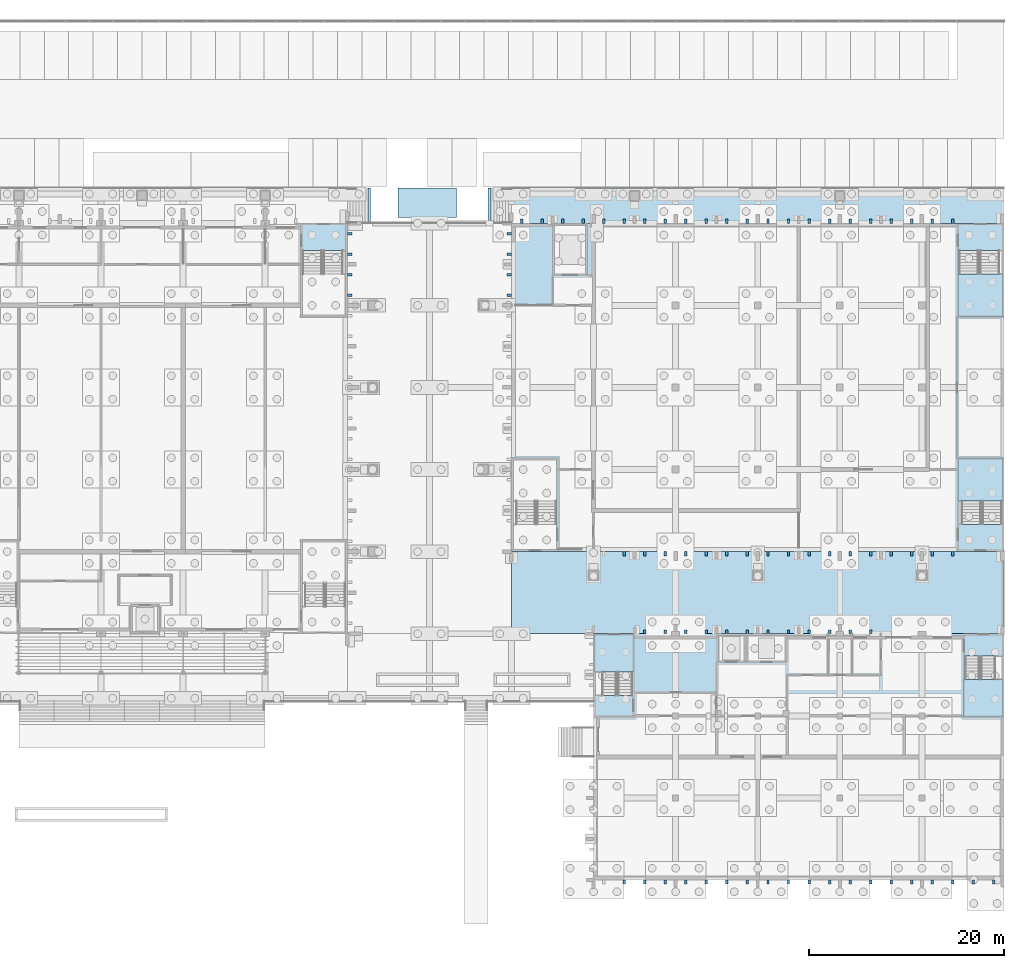
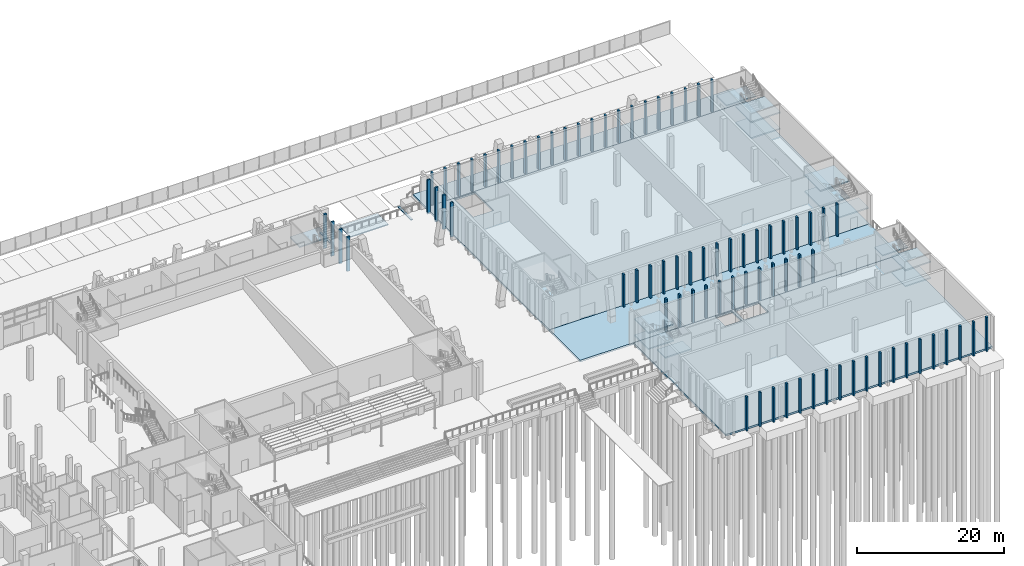
# One storey, part 40 of 129: 78 plates, 20 slabs, 5 elements without a shape of their own.
"""IFC4 building model written with IfcOpenShell, lengths in metres."""

from ifc_helpers import new_model, si_unit, direction, frame, origin, origin_2d, place, context, subcontext, project, spatial, polyline, rectangle, outline, extrude, material, layer, layer_set, type_object, element, aggregate, save


model = new_model("IFC4")

# Units and contexts
model_context = context("Model", 3, precision=1e-05, world=origin(), true_north=direction((0.0, 1.0)))
body_context = subcontext(model_context, "Body", "Model", "MODEL_VIEW")
ifc_project = project(units=[si_unit("LENGTHUNIT", "METRE"), si_unit("AREAUNIT", "SQUARE_METRE"), si_unit("VOLUMEUNIT", "CUBIC_METRE"), si_unit("PLANEANGLEUNIT", "RADIAN"), si_unit("MASSUNIT", "GRAM", prefix="KILO")], contexts=[model_context])

# Site, building, storey
site_placement = place(None, origin())
site = spatial("IfcSite", under=ifc_project, at=site_placement, CompositionType="ELEMENT")
building_placement = place(site_placement, origin())
building = spatial("IfcBuilding", under=site, at=building_placement, Name="Kiln Court Media Centre", CompositionType="ELEMENT")
storey_placement = place(building_placement, origin())
storey = spatial("IfcBuildingStorey", under=building, at=storey_placement, Name="L00", CompositionType="ELEMENT", Elevation=0.0)

# Slabs
ifc_material_1 = material(Name="Concrete C30/37", Category="concrete")
ifc_layer_1 = layer(ifc_material_1, 0.14990234375)
ifc_layer_set_1 = layer_set([ifc_layer_1], Name="Concrete C30/37 paving slab 150")
slab_type_1 = type_object("IfcSlabType", Name="Concrete C30/37 paving slab 150", PredefinedType="BASESLAB", material=ifc_layer_set_1)
slab_1_placement = place(storey_placement, frame((0.0, 0.0, -1.35009765625)))
element("IfcSlab", 1, at=slab_1_placement, inside=storey, type_object=slab_type_1, Name="Paving on grade 12", PredefinedType="BASESLAB", context=body_context, shape_type="SweptSolid", body=[
    extrude(outline(polyline([(106.0, 67.800048828125), (112.0, 67.800048828125), (112.0, 70.800048828125), (106.0, 70.800048828125), (106.0, 67.800048828125)])), origin(), (0.0, 0.0, 1.0), 0.150146484375),
])
ifc_material_2 = material(Name="Concrete C30/37", Category="concrete")
ifc_layer_2 = layer(ifc_material_2, 0.300048828125)
ifc_layer_set_2 = layer_set([ifc_layer_2], Name="Concrete C30/37 plinth slab 300")
slab_type_2 = type_object("IfcSlabType", Name="Concrete C30/37 plinth slab 300", PredefinedType="BASESLAB", material=ifc_layer_set_2)
slab_2_placement = place(storey_placement, frame((0.0, 0.0, -0.300048828125)))
element("IfcSlab", 2, at=slab_2_placement, inside=storey, type_object=slab_type_2, Name="L00-SL-1007", PredefinedType="BASESLAB", context=body_context, shape_type="SweptSolid", body=[
    extrude(outline(polyline([(117.60009765625, 33.60009765625), (117.60009765625, 67.199951171875), (168.0, 67.199951171875), (168.0, 33.60009765625), (117.60009765625, 33.60009765625)]), holes=[polyline([(122.0, 62.0), (125.199951171875, 62.0), (125.199951171875, 67.0), (122.0, 67.0), (122.0, 62.0)])]), origin(), (0.0, 0.0, 1.0), 0.300048828125),
])
slab_3_placement = place(storey_placement, frame((0.0, 0.0, -0.300048828125)))
element("IfcSlab", 3, at=slab_3_placement, inside=storey, type_object=slab_type_2, Name="L00-SL-1008", PredefinedType="BASESLAB", context=body_context, shape_type="SweptSolid", body=[
    extrude(outline(polyline([(126.0, 0.0), (126.0, 25.199951171875), (168.0, 25.199951171875), (168.0, 0.0), (126.0, 0.0)]), holes=[polyline([(138.800048828125, 22.39990234375), (141.39990234375, 22.39990234375), (141.39990234375, 25.0), (138.800048828125, 25.0), (138.800048828125, 22.39990234375)]), polyline([(141.800048828125, 22.39990234375), (145.60009765625, 22.39990234375), (145.60009765625, 25.0), (141.800048828125, 25.0), (141.800048828125, 22.39990234375)])]), origin(), (0.0, 0.0, 1.0), 0.300048828125),
])
slab_4_placement = place(storey_placement, frame((0.0, 0.0, -0.300048828125)))
element("IfcSlab", 4, at=slab_4_placement, inside=storey, type_object=slab_type_2, Name="L00-SL-1013", PredefinedType="BASESLAB", context=body_context, shape_type="SweptSolid", body=[
    extrude(outline(polyline([(117.60009765625, 25.199951171875), (117.60009765625, 33.60009765625), (168.0, 33.60009765625), (168.0, 25.199951171875), (117.60009765625, 25.199951171875)])), origin(), (0.0, 0.0, 1.0), 0.300048828125),
])
slab_5_placement = place(storey_placement, frame((0.0, 0.0, -0.300048828125)))
element("IfcSlab", 5, at=slab_5_placement, inside=storey, type_object=slab_type_2, Name="L00-SL-1015", PredefinedType="BASESLAB", context=body_context, shape_type="SweptSolid", body=[
    extrude(outline(polyline([(117.60009765625, 67.199951171875), (117.60009765625, 70.800048828125), (168.0, 70.800048828125), (168.0, 67.199951171875), (117.60009765625, 67.199951171875)])), origin(), (0.0, 0.0, 1.0), 0.300048828125),
])
ifc_material_3 = material(Name="Concrete C30/37", Category="concrete")
ifc_layer_3 = layer(ifc_material_3, 0.14990234375)
ifc_layer_set_3 = layer_set([ifc_layer_3], Name="Concrete C30/37 step foot slab 150")
slab_type_3 = type_object("IfcSlabType", Name="Concrete C30/37 step foot slab 150", PredefinedType="BASESLAB", material=ifc_layer_set_3)
slab_6_placement = place(storey_placement, frame((0.0, 0.0, -1.35009765625)))
element("IfcSlab", 6, at=slab_6_placement, inside=storey, type_object=slab_type_3, Name="Step foot slab", PredefinedType="BASESLAB", context=body_context, shape_type="SweptSolid", body=[
    extrude(outline(polyline([(102.89990234375, 67.199951171875), (103.199951171875, 67.199951171875), (103.199951171875, 70.800048828125), (102.89990234375, 70.800048828125), (102.89990234375, 67.199951171875)])), origin(), (0.0, 0.0, 1.0), 0.150146484375),
])
slab_7_placement = place(storey_placement, frame((0.0, 0.0, -1.35009765625)))
element("IfcSlab", 7, at=slab_7_placement, inside=storey, type_object=slab_type_3, Name="Step foot slab", PredefinedType="BASESLAB", context=body_context, shape_type="SweptSolid", body=[
    extrude(outline(polyline([(115.199951171875, 67.199951171875), (115.5, 67.199951171875), (115.5, 70.800048828125), (115.199951171875, 70.800048828125), (115.199951171875, 67.199951171875)])), origin(), (0.0, 0.0, 1.0), 0.150146484375),
])

# Plates
ifc_material_4 = material(Name="Concrete C40/50", Category="concrete")
ifc_layer_4 = layer(ifc_material_4, 0.25)
ifc_layer_set_4 = layer_set([ifc_layer_4], Name="Concrete C40/50 shading fin 250")
plate_type = type_object("IfcPlateType", Name="Concrete C40/50 shading fin 250", PredefinedType="SHEET", material=ifc_layer_set_4)
for number, where, z_axis, x_axis, name in (
    (8, (101.050048828125, 59.85009765625, -0.2998046875), (0.0, 0.0, 1.0), (1.0, 0.0, 0.0), "V1 E fin L00"),
    (9, (101.050048828125, 61.949951171875, -0.2998046875), (0.0, 0.0, 1.0), (1.0, 0.0, 0.0), "V1 E fin L00"),
    (10, (101.050048828125, 64.050048828125, -0.2998046875), (0.0, 0.0, 1.0), (1.0, 0.0, 0.0), "V1 E fin L00"),
    (11, (101.050048828125, 66.14990234375, -0.2998046875), (0.0, 0.0, 1.0), (1.0, 0.0, 0.0), "V1 E fin L00"),
):
    element("IfcPlate", number, at=place(storey_placement, frame(where, z_axis=z_axis, x_axis=x_axis)), inside=storey, type_object=plate_type, Name=name, PredefinedType="SHEET", context=body_context, shape_type="SweptSolid", body=[
        extrude(rectangle(XDim=0.5, YDim=0.25, at=origin_2d()), origin(), (0.0, 0.0, 1.0), 5.699951171875),
    ])
for number, where, z_axis, x_axis, name in (
    (12, (129.14990234375, 33.375, -0.2998046875), (0.0, 0.0, 1.0), (1.0, 0.0, 0.0), "V2 S fin L00"),
    (13, (131.25, 33.375, -0.2998046875), (0.0, 0.0, 1.0), (1.0, 0.0, 0.0), "V2 S fin L00"),
    (14, (133.35009765625, 33.375, -0.2998046875), (0.0, 0.0, 1.0), (1.0, 0.0, 0.0), "V2 S fin L00"),
    (15, (135.449951171875, 33.375, -0.2998046875), (0.0, 0.0, 1.0), (1.0, 0.0, 0.0), "V2 S fin L00"),
    (16, (137.550048828125, 33.375, -0.2998046875), (0.0, 0.0, 1.0), (1.0, 0.0, 0.0), "V2 S fin L00"),
    (17, (139.64990234375, 33.375, -0.2998046875), (0.0, 0.0, 1.0), (1.0, 0.0, 0.0), "V2 S fin L00"),
    (18, (141.75, 33.375, -0.2998046875), (0.0, 0.0, 1.0), (1.0, 0.0, 0.0), "V2 S fin L00"),
    (19, (143.85009765625, 33.375, -0.2998046875), (0.0, 0.0, 1.0), (1.0, 0.0, 0.0), "V2 S fin L00"),
    (20, (145.949951171875, 33.375, -0.2998046875), (0.0, 0.0, 1.0), (1.0, 0.0, 0.0), "V2 S fin L00"),
    (21, (148.050048828125, 33.375, -0.2998046875), (0.0, 0.0, 1.0), (1.0, 0.0, 0.0), "V2 S fin L00"),
    (22, (150.14990234375, 33.375, -0.2998046875), (0.0, 0.0, 1.0), (1.0, 0.0, 0.0), "V2 S fin L00"),
    (23, (152.25, 33.375, -0.2998046875), (0.0, 0.0, 1.0), (1.0, 0.0, 0.0), "V2 S fin L00"),
    (24, (154.35009765625, 33.375, -0.2998046875), (0.0, 0.0, 1.0), (1.0, 0.0, 0.0), "V2 S fin L00"),
    (25, (156.449951171875, 33.375, -0.2998046875), (0.0, 0.0, 1.0), (1.0, 0.0, 0.0), "V2 S fin L00"),
    (26, (158.550048828125, 33.375, -0.2998046875), (0.0, 0.0, 1.0), (1.0, 0.0, 0.0), "V2 S fin L00"),
    (27, (160.64990234375, 33.375, -0.2998046875), (0.0, 0.0, 1.0), (1.0, 0.0, 0.0), "V2 S fin L00"),
    (28, (162.75, 33.375, -0.2998046875), (0.0, 0.0, 1.0), (1.0, 0.0, 0.0), "V2 S fin L00"),
    (29, (118.64990234375, 67.425048828125, -0.2998046875), (0.0, 0.0, 1.0), (1.0, 0.0, 0.0), "V2 N fin L00"),
    (30, (120.75, 67.425048828125, -0.2998046875), (0.0, 0.0, 1.0), (1.0, 0.0, 0.0), "V2 N fin L00"),
    (31, (122.85009765625, 67.425048828125, -0.2998046875), (0.0, 0.0, 1.0), (1.0, 0.0, 0.0), "V2 N fin L00"),
    (32, (124.949951171875, 67.425048828125, -0.2998046875), (0.0, 0.0, 1.0), (1.0, 0.0, 0.0), "V2 N fin L00"),
    (33, (127.050048828125, 67.425048828125, -0.2998046875), (0.0, 0.0, 1.0), (1.0, 0.0, 0.0), "V2 N fin L00"),
    (34, (129.14990234375, 67.425048828125, -0.2998046875), (0.0, 0.0, 1.0), (1.0, 0.0, 0.0), "V2 N fin L00"),
    (35, (131.25, 67.425048828125, -0.2998046875), (0.0, 0.0, 1.0), (1.0, 0.0, 0.0), "V2 N fin L00"),
    (36, (133.35009765625, 67.425048828125, -0.2998046875), (0.0, 0.0, 1.0), (1.0, 0.0, 0.0), "V2 N fin L00"),
    (37, (135.449951171875, 67.425048828125, -0.2998046875), (0.0, 0.0, 1.0), (1.0, 0.0, 0.0), "V2 N fin L00"),
    (38, (137.550048828125, 67.425048828125, -0.2998046875), (0.0, 0.0, 1.0), (1.0, 0.0, 0.0), "V2 N fin L00"),
    (39, (139.64990234375, 67.425048828125, -0.2998046875), (0.0, 0.0, 1.0), (1.0, 0.0, 0.0), "V2 N fin L00"),
    (40, (141.75, 67.425048828125, -0.2998046875), (0.0, 0.0, 1.0), (1.0, 0.0, 0.0), "V2 N fin L00"),
    (41, (143.85009765625, 67.425048828125, -0.2998046875), (0.0, 0.0, 1.0), (1.0, 0.0, 0.0), "V2 N fin L00"),
    (42, (145.949951171875, 67.425048828125, -0.2998046875), (0.0, 0.0, 1.0), (1.0, 0.0, 0.0), "V2 N fin L00"),
    (43, (148.050048828125, 67.425048828125, -0.2998046875), (0.0, 0.0, 1.0), (1.0, 0.0, 0.0), "V2 N fin L00"),
    (44, (150.14990234375, 67.425048828125, -0.2998046875), (0.0, 0.0, 1.0), (1.0, 0.0, 0.0), "V2 N fin L00"),
    (45, (152.25, 67.425048828125, -0.2998046875), (0.0, 0.0, 1.0), (1.0, 0.0, 0.0), "V2 N fin L00"),
    (46, (154.35009765625, 67.425048828125, -0.2998046875), (0.0, 0.0, 1.0), (1.0, 0.0, 0.0), "V2 N fin L00"),
    (47, (156.449951171875, 67.425048828125, -0.2998046875), (0.0, 0.0, 1.0), (1.0, 0.0, 0.0), "V2 N fin L00"),
    (48, (158.550048828125, 67.425048828125, -0.2998046875), (0.0, 0.0, 1.0), (1.0, 0.0, 0.0), "V2 N fin L00"),
    (49, (160.64990234375, 67.425048828125, -0.2998046875), (0.0, 0.0, 1.0), (1.0, 0.0, 0.0), "V2 N fin L00"),
    (50, (162.75, 67.425048828125, -0.2998046875), (0.0, 0.0, 1.0), (1.0, 0.0, 0.0), "V2 N fin L00"),
):
    element("IfcPlate", number, at=place(storey_placement, frame(where, z_axis=z_axis, x_axis=x_axis)), inside=storey, type_object=plate_type, Name=name, PredefinedType="SHEET", context=body_context, shape_type="SweptSolid", body=[
        extrude(rectangle(XDim=0.25, YDim=0.449951171875, at=origin_2d()), origin(), (0.0, 0.0, 1.0), 5.699951171875),
    ])
for number, where, z_axis, x_axis, name in (
    (51, (117.375, 59.85009765625, -0.2998046875), (0.0, 0.0, 1.0), (1.0, 0.0, 0.0), "V2 W fin L00"),
    (52, (117.375, 61.949951171875, -0.2998046875), (0.0, 0.0, 1.0), (1.0, 0.0, 0.0), "V2 W fin L00"),
    (53, (117.375, 64.050048828125, -0.2998046875), (0.0, 0.0, 1.0), (1.0, 0.0, 0.0), "V2 W fin L00"),
    (54, (117.375, 66.14990234375, -0.2998046875), (0.0, 0.0, 1.0), (1.0, 0.0, 0.0), "V2 W fin L00"),
):
    element("IfcPlate", number, at=place(storey_placement, frame(where, z_axis=z_axis, x_axis=x_axis)), inside=storey, type_object=plate_type, Name=name, PredefinedType="SHEET", context=body_context, shape_type="SweptSolid", body=[
        extrude(rectangle(XDim=0.449951171875, YDim=0.25, at=origin_2d()), origin(), (0.0, 0.0, 1.0), 5.699951171875),
    ])
for number, where, z_axis, x_axis, name in (
    (55, (129.14990234375, -0.199951171875, -0.2998046875), (0.0, 0.0, 1.0), (1.0, 0.0, 0.0), "V5 S fin L00"),
    (56, (131.25, -0.199951171875, -0.2998046875), (0.0, 0.0, 1.0), (1.0, 0.0, 0.0), "V5 S fin L00"),
    (57, (133.35009765625, -0.199951171875, -0.2998046875), (0.0, 0.0, 1.0), (1.0, 0.0, 0.0), "V5 S fin L00"),
    (58, (135.449951171875, -0.199951171875, -0.2998046875), (0.0, 0.0, 1.0), (1.0, 0.0, 0.0), "V5 S fin L00"),
    (59, (137.550048828125, -0.199951171875, -0.2998046875), (0.0, 0.0, 1.0), (1.0, 0.0, 0.0), "V5 S fin L00"),
    (60, (139.64990234375, -0.199951171875, -0.2998046875), (0.0, 0.0, 1.0), (1.0, 0.0, 0.0), "V5 S fin L00"),
    (61, (141.75, -0.199951171875, -0.2998046875), (0.0, 0.0, 1.0), (1.0, 0.0, 0.0), "V5 S fin L00"),
    (62, (143.85009765625, -0.199951171875, -0.2998046875), (0.0, 0.0, 1.0), (1.0, 0.0, 0.0), "V5 S fin L00"),
    (63, (145.949951171875, -0.199951171875, -0.2998046875), (0.0, 0.0, 1.0), (1.0, 0.0, 0.0), "V5 S fin L00"),
    (64, (148.050048828125, -0.199951171875, -0.2998046875), (0.0, 0.0, 1.0), (1.0, 0.0, 0.0), "V5 S fin L00"),
    (65, (150.14990234375, -0.199951171875, -0.2998046875), (0.0, 0.0, 1.0), (1.0, 0.0, 0.0), "V5 S fin L00"),
    (66, (152.25, -0.199951171875, -0.2998046875), (0.0, 0.0, 1.0), (1.0, 0.0, 0.0), "V5 S fin L00"),
    (67, (154.35009765625, -0.199951171875, -0.2998046875), (0.0, 0.0, 1.0), (1.0, 0.0, 0.0), "V5 S fin L00"),
    (68, (156.449951171875, -0.199951171875, -0.2998046875), (0.0, 0.0, 1.0), (1.0, 0.0, 0.0), "V5 S fin L00"),
    (69, (158.550048828125, -0.199951171875, -0.2998046875), (0.0, 0.0, 1.0), (1.0, 0.0, 0.0), "V5 S fin L00"),
    (70, (160.64990234375, -0.199951171875, -0.2998046875), (0.0, 0.0, 1.0), (1.0, 0.0, 0.0), "V5 S fin L00"),
    (71, (162.75, -0.199951171875, -0.2998046875), (0.0, 0.0, 1.0), (1.0, 0.0, 0.0), "V5 S fin L00"),
    (72, (164.85009765625, -0.199951171875, -0.2998046875), (0.0, 0.0, 1.0), (1.0, 0.0, 0.0), "V5 S fin L00"),
    (73, (166.949951171875, -0.199951171875, -0.2998046875), (0.0, 0.0, 1.0), (1.0, 0.0, 0.0), "V5 S fin L00"),
    (74, (131.25, 25.39990234375, -0.2998046875), (0.0, 0.0, 1.0), (1.0, 0.0, 0.0), "V5 N fin L00"),
    (75, (133.35009765625, 25.39990234375, -0.2998046875), (0.0, 0.0, 1.0), (1.0, 0.0, 0.0), "V5 N fin L00"),
    (76, (135.449951171875, 25.39990234375, -0.2998046875), (0.0, 0.0, 1.0), (1.0, 0.0, 0.0), "V5 N fin L00"),
    (77, (137.550048828125, 25.39990234375, -0.2998046875), (0.0, 0.0, 1.0), (1.0, 0.0, 0.0), "V5 N fin L00"),
    (78, (139.64990234375, 25.39990234375, -0.2998046875), (0.0, 0.0, 1.0), (1.0, 0.0, 0.0), "V5 N fin L00"),
    (79, (141.75, 25.39990234375, -0.2998046875), (0.0, 0.0, 1.0), (1.0, 0.0, 0.0), "V5 N fin L00"),
    (80, (143.85009765625, 25.39990234375, -0.2998046875), (0.0, 0.0, 1.0), (1.0, 0.0, 0.0), "V5 N fin L00"),
    (81, (145.949951171875, 25.39990234375, -0.2998046875), (0.0, 0.0, 1.0), (1.0, 0.0, 0.0), "V5 N fin L00"),
    (82, (148.050048828125, 25.39990234375, -0.2998046875), (0.0, 0.0, 1.0), (1.0, 0.0, 0.0), "V5 N fin L00"),
    (83, (150.14990234375, 25.39990234375, -0.2998046875), (0.0, 0.0, 1.0), (1.0, 0.0, 0.0), "V5 N fin L00"),
    (84, (152.25, 25.39990234375, -0.2998046875), (0.0, 0.0, 1.0), (1.0, 0.0, 0.0), "V5 N fin L00"),
    (85, (154.35009765625, 25.39990234375, -0.2998046875), (0.0, 0.0, 1.0), (1.0, 0.0, 0.0), "V5 N fin L00"),
):
    element("IfcPlate", number, at=place(storey_placement, frame(where, z_axis=z_axis, x_axis=x_axis)), inside=storey, type_object=plate_type, Name=name, PredefinedType="SHEET", context=body_context, shape_type="SweptSolid", body=[
        extrude(rectangle(XDim=0.25, YDim=0.39990234375, at=origin_2d()), origin(), (0.0, 0.0, 1.0), 5.699951171875),
    ])

# Stair, slab
ifc_material_5 = material(Name="Concrete C40/50", Category="concrete")
stair_type_1 = type_object("IfcStairType", Name="Concrete C40/50 dog-leg stair 2000 wide, 150 riser", PredefinedType="HALF_TURN_STAIR", material=ifc_material_5)
stair_1_placement = place(storey_placement, origin())
stair_1 = element("IfcStair", 86, at=stair_1_placement, inside=storey, type_object=stair_type_1, Name="ST-12 L00", PredefinedType="HALF_TURN_STAIR")
ifc_material_6 = material(Name="Concrete C40/50", Category="concrete")
ifc_layer_5 = layer(ifc_material_6, 0.199951171875)
ifc_layer_set_5 = layer_set([ifc_layer_5], Name="Concrete C40/50 stair landing 200")
slab_type_4 = type_object("IfcSlabType", Name="Concrete C40/50 stair landing 200", PredefinedType="LANDING", material=ifc_layer_set_5)
slab_8_placement = place(storey_placement, frame((0.0, 0.0, 2.5)))
slab_8 = element("IfcSlab", 87, at=slab_8_placement, type_object=slab_type_4, Name="L00-ST-5011 landing 5034", PredefinedType="LANDING", context=body_context, shape_type="SweptSolid", body=[
    extrude(outline(polyline([(96.080078125, 67.1201171875), (96.080078125, 64.39990234375), (100.719970703125, 64.39990234375), (100.719970703125, 67.1201171875), (96.080078125, 67.1201171875)])), origin(), (0.0, 0.0, 1.0), 0.199951171875),
])
aggregate(stair_1, [slab_8])

# Stair, slabs
stair_2_placement = place(storey_placement, origin())
stair_2 = element("IfcStair", 88, at=stair_2_placement, inside=storey, type_object=stair_type_1, Name="ST-14 L00", PredefinedType="HALF_TURN_STAIR")
slab_9_placement = place(storey_placement, frame((0.0, 0.0, 1.14990234375)))
slab_9 = element("IfcSlab", 89, at=slab_9_placement, type_object=slab_type_4, Name="L00-ST-5013 landing 5039", PredefinedType="LANDING", context=body_context, shape_type="SweptSolid", body=[
    extrude(outline(polyline([(167.919921875, 38.800048828125), (167.919921875, 43.1201171875), (163.280029296875, 43.1201171875), (163.280029296875, 38.800048828125), (167.919921875, 38.800048828125)])), origin(), (0.0, 0.0, 1.0), 0.2001953125),
])
slab_10_placement = place(storey_placement, frame((0.0, 0.0, 2.5)))
slab_10 = element("IfcSlab", 90, at=slab_10_placement, type_object=slab_type_4, Name="L00-ST-5013 landing 5040", PredefinedType="LANDING", context=body_context, shape_type="SweptSolid", body=[
    extrude(outline(polyline([(167.919921875, 33.679931640625), (167.919921875, 36.39990234375), (163.280029296875, 36.39990234375), (163.280029296875, 33.679931640625), (167.919921875, 33.679931640625)])), origin(), (0.0, 0.0, 1.0), 0.199951171875),
])
slab_11_placement = place(storey_placement, frame((0.0, 0.0, 3.85009765625)))
slab_11 = element("IfcSlab", 91, at=slab_11_placement, type_object=slab_type_4, Name="L00-ST-5013 landing 5041", PredefinedType="LANDING", context=body_context, shape_type="SweptSolid", body=[
    extrude(outline(polyline([(167.919921875, 38.800048828125), (167.919921875, 43.1201171875), (163.280029296875, 43.1201171875), (163.280029296875, 38.800048828125), (167.919921875, 38.800048828125)])), origin(), (0.0, 0.0, 1.0), 0.199951171875),
])
aggregate(stair_2, [slab_9, slab_10, slab_11])

stair_3_placement = place(storey_placement, origin())
stair_3 = element("IfcStair", 92, at=stair_3_placement, inside=storey, type_object=stair_type_1, Name="ST-15 L00", PredefinedType="HALF_TURN_STAIR")
slab_12_placement = place(storey_placement, frame((0.0, 0.0, 1.14990234375)))
slab_12 = element("IfcSlab", 93, at=slab_12_placement, type_object=slab_type_4, Name="L00-ST-5014 landing 5042", PredefinedType="LANDING", context=body_context, shape_type="SweptSolid", body=[
    extrude(outline(polyline([(163.280029296875, 62.0), (163.280029296875, 57.679931640625), (167.919921875, 57.679931640625), (167.919921875, 62.0), (163.280029296875, 62.0)])), origin(), (0.0, 0.0, 1.0), 0.2001953125),
])
slab_13_placement = place(storey_placement, frame((0.0, 0.0, 2.5)))
slab_13 = element("IfcSlab", 94, at=slab_13_placement, type_object=slab_type_4, Name="L00-ST-5014 landing 5043", PredefinedType="LANDING", context=body_context, shape_type="SweptSolid", body=[
    extrude(outline(polyline([(163.280029296875, 67.1201171875), (163.280029296875, 64.39990234375), (167.919921875, 64.39990234375), (167.919921875, 67.1201171875), (163.280029296875, 67.1201171875)])), origin(), (0.0, 0.0, 1.0), 0.199951171875),
])
slab_14_placement = place(storey_placement, frame((0.0, 0.0, 3.85009765625)))
slab_14 = element("IfcSlab", 95, at=slab_14_placement, type_object=slab_type_4, Name="L00-ST-5014 landing 5044", PredefinedType="LANDING", context=body_context, shape_type="SweptSolid", body=[
    extrude(outline(polyline([(163.280029296875, 62.0), (163.280029296875, 57.679931640625), (167.919921875, 57.679931640625), (167.919921875, 62.0), (163.280029296875, 62.0)])), origin(), (0.0, 0.0, 1.0), 0.199951171875),
])
aggregate(stair_3, [slab_12, slab_13, slab_14])

ifc_material_7 = material(Name="Concrete C40/50", Category="concrete")
stair_type_2 = type_object("IfcStairType", Name="Concrete C40/50 dog-leg stair 1500 wide, 150 riser", PredefinedType="HALF_TURN_STAIR", material=ifc_material_7)
stair_4_placement = place(storey_placement, origin())
stair_4 = element("IfcStair", 96, at=stair_4_placement, inside=storey, type_object=stair_type_2, Name="ST-16 L00", PredefinedType="HALF_TURN_STAIR")
slab_15_placement = place(storey_placement, frame((0.0, 0.0, 1.14990234375)))
slab_15 = element("IfcSlab", 97, at=slab_15_placement, type_object=slab_type_4, Name="L00-ST-5015 landing 5045", PredefinedType="LANDING", context=body_context, shape_type="SweptSolid", body=[
    extrude(outline(polyline([(130.1201171875, 21.300048828125), (130.1201171875, 25.1201171875), (126.080078125, 25.1201171875), (126.080078125, 21.300048828125), (130.1201171875, 21.300048828125)])), origin(), (0.0, 0.0, 1.0), 0.2001953125),
])
slab_16_placement = place(storey_placement, frame((0.0, 0.0, 2.5)))
slab_16 = element("IfcSlab", 98, at=slab_16_placement, type_object=slab_type_4, Name="L00-ST-5015 landing 5046", PredefinedType="LANDING", context=body_context, shape_type="SweptSolid", body=[
    extrude(outline(polyline([(130.1201171875, 16.679931640625), (130.1201171875, 18.89990234375), (126.080078125, 18.89990234375), (126.080078125, 16.679931640625), (130.1201171875, 16.679931640625)])), origin(), (0.0, 0.0, 1.0), 0.199951171875),
])
slab_17_placement = place(storey_placement, frame((0.0, 0.0, 3.85009765625)))
slab_17 = element("IfcSlab", 99, at=slab_17_placement, type_object=slab_type_4, Name="L00-ST-5015 landing 5047", PredefinedType="LANDING", context=body_context, shape_type="SweptSolid", body=[
    extrude(outline(polyline([(130.1201171875, 21.300048828125), (130.1201171875, 25.1201171875), (126.080078125, 25.1201171875), (126.080078125, 21.300048828125), (130.1201171875, 21.300048828125)])), origin(), (0.0, 0.0, 1.0), 0.199951171875),
])
aggregate(stair_4, [slab_15, slab_16, slab_17])

stair_5_placement = place(storey_placement, origin())
stair_5 = element("IfcStair", 100, at=stair_5_placement, inside=storey, type_object=stair_type_2, Name="ST-17 L00", PredefinedType="HALF_TURN_STAIR")
slab_18_placement = place(storey_placement, frame((0.0, 0.0, 1.14990234375)))
slab_18 = element("IfcSlab", 101, at=slab_18_placement, type_object=slab_type_4, Name="L00-ST-5016 landing 5048", PredefinedType="LANDING", context=body_context, shape_type="SweptSolid", body=[
    extrude(outline(polyline([(163.8798828125, 20.5), (163.8798828125, 16.679931640625), (167.919921875, 16.679931640625), (167.919921875, 20.5), (163.8798828125, 20.5)])), origin(), (0.0, 0.0, 1.0), 0.2001953125),
])
slab_19_placement = place(storey_placement, frame((0.0, 0.0, 2.5)))
slab_19 = element("IfcSlab", 102, at=slab_19_placement, type_object=slab_type_4, Name="L00-ST-5016 landing 5049", PredefinedType="LANDING", context=body_context, shape_type="SweptSolid", body=[
    extrude(outline(polyline([(163.8798828125, 25.1201171875), (163.8798828125, 22.89990234375), (167.919921875, 22.89990234375), (167.919921875, 25.1201171875), (163.8798828125, 25.1201171875)])), origin(), (0.0, 0.0, 1.0), 0.199951171875),
])
slab_20_placement = place(storey_placement, frame((0.0, 0.0, 3.85009765625)))
slab_20 = element("IfcSlab", 103, at=slab_20_placement, type_object=slab_type_4, Name="L00-ST-5016 landing 5050", PredefinedType="LANDING", context=body_context, shape_type="SweptSolid", body=[
    extrude(outline(polyline([(163.8798828125, 20.5), (163.8798828125, 16.679931640625), (167.919921875, 16.679931640625), (167.919921875, 20.5), (163.8798828125, 20.5)])), origin(), (0.0, 0.0, 1.0), 0.199951171875),
])
aggregate(stair_5, [slab_18, slab_19, slab_20])

save(model, "model.ifc")
